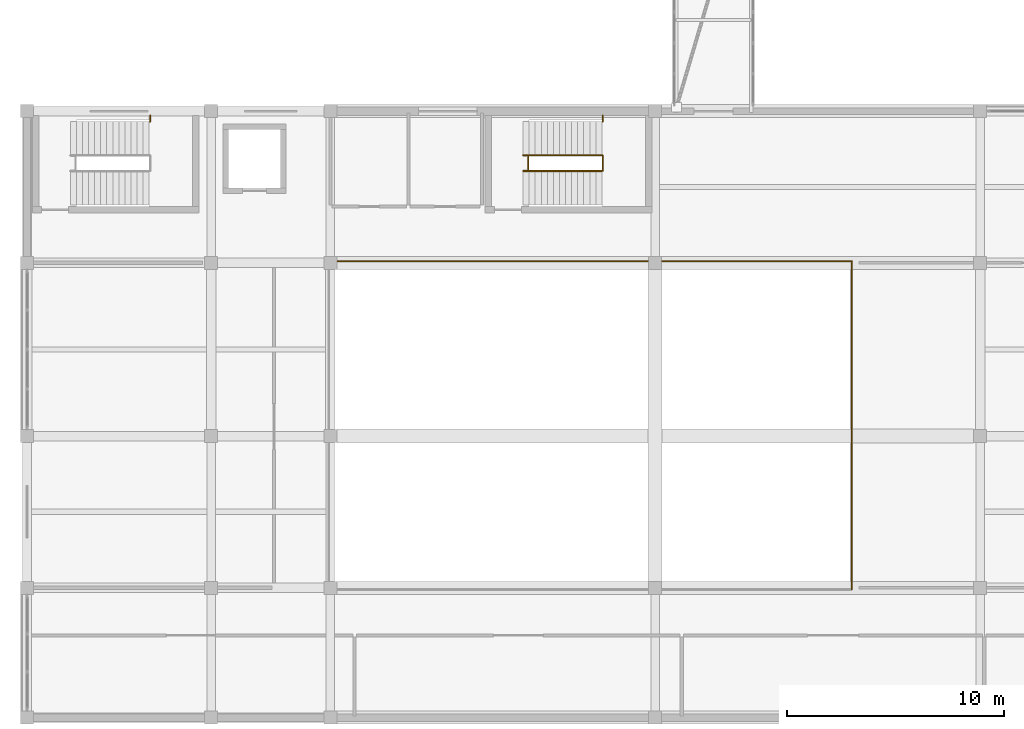
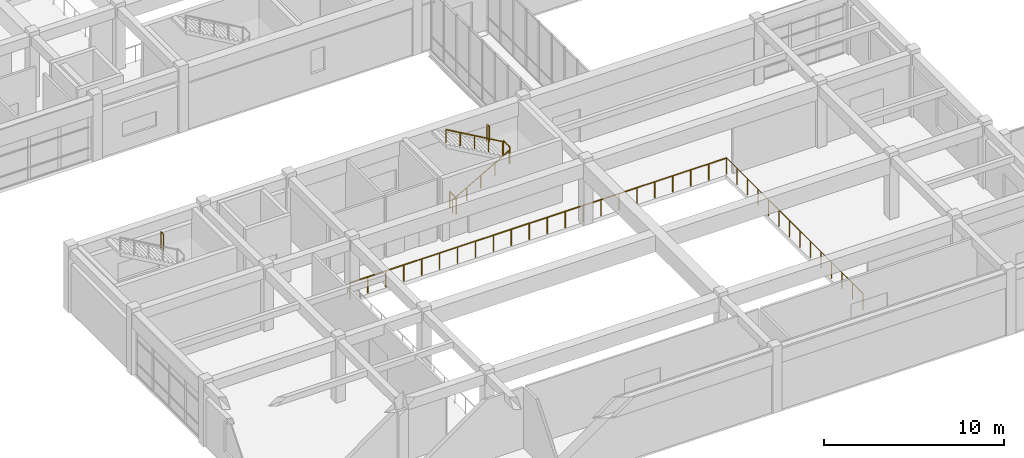
# One storey, part 61 of 72: 8 railings.
"""IFC4 building model written with IfcOpenShell, lengths in metres."""

from ifc_helpers import new_model, si_unit, direction, frame, origin, origin_2d, place, context, subcontext, project, spatial, circle, extrude, material, type_object, element, save


model = new_model("IFC4")

# Units and contexts
model_context = context("Model", 3, precision=1e-05, world=origin(), true_north=direction((0.0, 1.0)))
body_context = subcontext(model_context, "Body", "Model", "MODEL_VIEW")
ifc_project = project(units=[si_unit("LENGTHUNIT", "METRE"), si_unit("AREAUNIT", "SQUARE_METRE"), si_unit("VOLUMEUNIT", "CUBIC_METRE"), si_unit("PLANEANGLEUNIT", "RADIAN"), si_unit("MASSUNIT", "GRAM", prefix="KILO")], contexts=[model_context])

# Site, building, storey
site_placement = place(None, origin())
site = spatial("IfcSite", under=ifc_project, at=site_placement, CompositionType="ELEMENT")
building_placement = place(site_placement, origin())
building = spatial("IfcBuilding", under=site, at=building_placement, Name="Naurynzar Civic Courthouse", CompositionType="ELEMENT")
storey_placement = place(building_placement, frame((0.0, 0.0, 9.89990234375)))
storey = spatial("IfcBuildingStorey", under=building, at=storey_placement, Name="L03", CompositionType="ELEMENT", Elevation=9.89990234375)

# Railings
ifc_material_1 = material(Name="Brushed Stainless Steel 304", Category="steel")
railing_type_1 = type_object("IfcRailingType", Name="RAIL-BAL-1100", PredefinedType="BALUSTRADE", material=ifc_material_1)
railing_1_placement = place(storey_placement, frame((44.080078125, 9.919921875, 0.0)))
element("IfcRailing", 1, at=railing_1_placement, inside=storey, type_object=railing_type_1, Name="Atrium gallery balustrade guard GR-VOID-V4-L03.2", PredefinedType="BALUSTRADE", context=body_context, shape_type="SweptSolid", body=[
    extrude(circle(Radius=0.02392578125, at=origin_2d()), frame((0.0, 0.0, 1.09619140625), z_axis=(0.0, 1.0, 0.0), x_axis=(-1.0, 0.0, 0.0)), (0.0, 0.0, 1.0), 15.16015625),
    extrude(circle(Radius=0.02099609375, at=origin_2d()), origin(), (0.0, 0.0, 1.0), 1.072021484375),
    extrude(circle(Radius=0.02099609375, at=origin_2d()), frame((0.0, 1.166259765625, 0.0)), (0.0, 0.0, 1.0), 1.072021484375),
    extrude(circle(Radius=0.02099609375, at=origin_2d()), frame((0.0, 2.332275390625, 0.0)), (0.0, 0.0, 1.0), 1.072021484375),
    extrude(circle(Radius=0.02099609375, at=origin_2d()), frame((0.0, 3.49853515625, 0.0)), (0.0, 0.0, 1.0), 1.072021484375),
    extrude(circle(Radius=0.02099609375, at=origin_2d()), frame((0.0, 4.66455078125, 0.0)), (0.0, 0.0, 1.0), 1.072021484375),
    extrude(circle(Radius=0.02099609375, at=origin_2d()), frame((0.0, 5.830810546875, 0.0)), (0.0, 0.0, 1.0), 1.072021484375),
    extrude(circle(Radius=0.02099609375, at=origin_2d()), frame((0.0, 6.9970703125, 0.0)), (0.0, 0.0, 1.0), 1.072021484375),
    extrude(circle(Radius=0.02099609375, at=origin_2d()), frame((0.0, 8.1630859375, 0.0)), (0.0, 0.0, 1.0), 1.072021484375),
    extrude(circle(Radius=0.02099609375, at=origin_2d()), frame((0.0, 9.329345703125, 0.0)), (0.0, 0.0, 1.0), 1.072021484375),
    extrude(circle(Radius=0.02099609375, at=origin_2d()), frame((0.0, 10.49560546875, 0.0)), (0.0, 0.0, 1.0), 1.072021484375),
    extrude(circle(Radius=0.02099609375, at=origin_2d()), frame((0.0, 11.66162109375, 0.0)), (0.0, 0.0, 1.0), 1.072021484375),
    extrude(circle(Radius=0.02099609375, at=origin_2d()), frame((0.0, 12.827880859375, 0.0)), (0.0, 0.0, 1.0), 1.072021484375),
    extrude(circle(Radius=0.02099609375, at=origin_2d()), frame((0.0, 13.993896484375, 0.0)), (0.0, 0.0, 1.0), 1.072021484375),
    extrude(circle(Radius=0.02099609375, at=origin_2d()), frame((0.0, 15.16015625, 0.0)), (0.0, 0.0, 1.0), 1.072021484375),
])
railing_2_placement = place(storey_placement, frame((44.080078125, 25.080078125, 0.0)))
element("IfcRailing", 2, at=railing_2_placement, inside=storey, type_object=railing_type_1, Name="Atrium gallery balustrade guard GR-VOID-V4-L03.3", PredefinedType="BALUSTRADE", context=body_context, shape_type="SweptSolid", body=[
    extrude(circle(Radius=0.02392578125, at=origin_2d()), frame((0.0, 0.0, 1.09619140625), z_axis=(-1.0, 0.0, 0.0), x_axis=(0.0, -1.0, 0.0)), (0.0, 0.0, 1.0), 24.16015625),
    extrude(circle(Radius=0.02099609375, at=origin_2d()), origin(), (0.0, 0.0, 1.0), 1.072021484375),
    extrude(circle(Radius=0.02099609375, at=origin_2d()), frame((-1.150390625, 0.0, 0.0)), (0.0, 0.0, 1.0), 1.072021484375),
    extrude(circle(Radius=0.02099609375, at=origin_2d()), frame((-2.301025390625, 0.0, 0.0)), (0.0, 0.0, 1.0), 1.072021484375),
    extrude(circle(Radius=0.02099609375, at=origin_2d()), frame((-3.451416015625, 0.0, 0.0)), (0.0, 0.0, 1.0), 1.072021484375),
    extrude(circle(Radius=0.02099609375, at=origin_2d()), frame((-4.60205078125, 0.0, 0.0)), (0.0, 0.0, 1.0), 1.072021484375),
    extrude(circle(Radius=0.02099609375, at=origin_2d()), frame((-5.75244140625, 0.0, 0.0)), (0.0, 0.0, 1.0), 1.072021484375),
    extrude(circle(Radius=0.02099609375, at=origin_2d()), frame((-6.90283203125, 0.0, 0.0)), (0.0, 0.0, 1.0), 1.072021484375),
    extrude(circle(Radius=0.02099609375, at=origin_2d()), frame((-8.053466796875, 0.0, 0.0)), (0.0, 0.0, 1.0), 1.072021484375),
    extrude(circle(Radius=0.02099609375, at=origin_2d()), frame((-9.203857421875, 0.0, 0.0)), (0.0, 0.0, 1.0), 1.072021484375),
    extrude(circle(Radius=0.02099609375, at=origin_2d()), frame((-10.354248046875, 0.0, 0.0)), (0.0, 0.0, 1.0), 1.072021484375),
    extrude(circle(Radius=0.02099609375, at=origin_2d()), frame((-11.5048828125, 0.0, 0.0)), (0.0, 0.0, 1.0), 1.072021484375),
    extrude(circle(Radius=0.02099609375, at=origin_2d()), frame((-12.6552734375, 0.0, 0.0)), (0.0, 0.0, 1.0), 1.072021484375),
    extrude(circle(Radius=0.02099609375, at=origin_2d()), frame((-13.805908203125, 0.0, 0.0)), (0.0, 0.0, 1.0), 1.072021484375),
    extrude(circle(Radius=0.02099609375, at=origin_2d()), frame((-14.956298828125, 0.0, 0.0)), (0.0, 0.0, 1.0), 1.072021484375),
    extrude(circle(Radius=0.02099609375, at=origin_2d()), frame((-16.106689453125, 0.0, 0.0)), (0.0, 0.0, 1.0), 1.072021484375),
    extrude(circle(Radius=0.02099609375, at=origin_2d()), frame((-17.25732421875, 0.0, 0.0)), (0.0, 0.0, 1.0), 1.072021484375),
    extrude(circle(Radius=0.02099609375, at=origin_2d()), frame((-18.40771484375, 0.0, 0.0)), (0.0, 0.0, 1.0), 1.072021484375),
    extrude(circle(Radius=0.02099609375, at=origin_2d()), frame((-19.55810546875, 0.0, 0.0)), (0.0, 0.0, 1.0), 1.072021484375),
    extrude(circle(Radius=0.02099609375, at=origin_2d()), frame((-20.708740234375, 0.0, 0.0)), (0.0, 0.0, 1.0), 1.072021484375),
    extrude(circle(Radius=0.02099609375, at=origin_2d()), frame((-21.859130859375, 0.0, 0.0)), (0.0, 0.0, 1.0), 1.072021484375),
    extrude(circle(Radius=0.02099609375, at=origin_2d()), frame((-23.009765625, 0.0, 0.0)), (0.0, 0.0, 1.0), 1.072021484375),
    extrude(circle(Radius=0.02099609375, at=origin_2d()), frame((-24.16015625, 0.0, 0.0)), (0.0, 0.0, 1.0), 1.072021484375),
])
railing_3_placement = place(storey_placement, frame((11.679931640625, 31.52001953125, 2.25)))
element("IfcRailing", 3, at=railing_3_placement, inside=storey, type_object=railing_type_1, Name="Stair ST-V4A-L03 half-landing north slot guard", PredefinedType="BALUSTRADE", context=body_context, shape_type="SweptSolid", body=[
    extrude(circle(Radius=0.02392578125, at=origin_2d()), frame((0.0, 0.0, 1.09619140625), z_axis=(0.0, 1.0, 0.0), x_axis=(-1.0, 0.0, 0.0)), (0.0, 0.0, 1.0), 0.284912109375),
    extrude(circle(Radius=0.02099609375, at=origin_2d()), origin(), (0.0, 0.0, 1.0), 1.072021484375),
    extrude(circle(Radius=0.02099609375, at=origin_2d()), frame((0.0, 0.284912109375, 0.0)), (0.0, 0.0, 1.0), 1.072021484375),
])
for number, where, name in (
    (4, (29.139892578125, 29.239990234375, 0.0), "Stair ST-V4B floor well slot guard L03"),
    (5, (32.580078125, 29.239990234375, 2.25), "Stair ST-V4B-L03 half-landing well guard"),
):
    element("IfcRailing", number, at=place(storey_placement, frame(where)), inside=storey, type_object=railing_type_1, Name=name, PredefinedType="BALUSTRADE", context=body_context, shape_type="SweptSolid", body=[
        extrude(circle(Radius=0.02392578125, at=origin_2d()), frame((0.0, 0.0, 1.09619140625), z_axis=(0.0, 1.0, 0.0), x_axis=(-1.0, 0.0, 0.0)), (0.0, 0.0, 1.0), 0.719970703125),
        extrude(circle(Radius=0.02099609375, at=origin_2d()), origin(), (0.0, 0.0, 1.0), 1.072021484375),
        extrude(circle(Radius=0.02099609375, at=origin_2d()), frame((0.0, 0.719970703125, 0.0)), (0.0, 0.0, 1.0), 1.072021484375),
    ])
railing_4_placement = place(storey_placement, frame((32.580078125, 31.52001953125, 2.25)))
element("IfcRailing", 6, at=railing_4_placement, inside=storey, type_object=railing_type_1, Name="Stair ST-V4B-L03 half-landing north slot guard", PredefinedType="BALUSTRADE", context=body_context, shape_type="SweptSolid", body=[
    extrude(circle(Radius=0.02392578125, at=origin_2d()), frame((0.0, 0.0, 1.09619140625), z_axis=(0.0, 1.0, 0.0), x_axis=(-1.0, 0.0, 0.0)), (0.0, 0.0, 1.0), 0.284912109375),
    extrude(circle(Radius=0.02099609375, at=origin_2d()), origin(), (0.0, 0.0, 1.0), 1.072021484375),
    extrude(circle(Radius=0.02099609375, at=origin_2d()), frame((0.0, 0.284912109375, 0.0)), (0.0, 0.0, 1.0), 1.072021484375),
])
ifc_material_2 = material(Name="Brushed Stainless Steel 304", Category="steel")
railing_type_2 = type_object("IfcRailingType", Name="RAIL-HR-900", PredefinedType="HANDRAIL", material=ifc_material_2)
railing_5_placement = place(storey_placement, frame((28.89990234375, 29.239990234375, 0.160888671875)))
element("IfcRailing", 7, at=railing_5_placement, inside=storey, type_object=railing_type_2, Name="Stair ST-V4B-L03 flight 1 handrail", PredefinedType="HANDRAIL", context=body_context, shape_type="SweptSolid", body=[
    extrude(circle(Radius=0.02392578125, at=origin_2d()), frame((0.0, 0.0, 0.8759765625), z_axis=(0.867314486057, 0.0, 0.497760567216), x_axis=(0.0, 1.0, 0.0)), (0.0, 0.0, 1.0), 4.197021484375),
    extrude(circle(Radius=0.02099609375, at=origin_2d()), origin(), (0.0, 0.0, 1.0), 0.851806640625),
    extrude(circle(Radius=0.02099609375, at=origin_2d()), frame((0.91015625, 0.0, 0.522216796875)), (0.0, 0.0, 1.0), 0.851806640625),
    extrude(circle(Radius=0.02099609375, at=origin_2d()), frame((1.820068359375, 0.0, 1.04443359375)), (0.0, 0.0, 1.0), 0.851806640625),
    extrude(circle(Radius=0.02099609375, at=origin_2d()), frame((2.72998046875, 0.0, 1.56689453125)), (0.0, 0.0, 1.0), 0.851806640625),
    extrude(circle(Radius=0.02099609375, at=origin_2d()), frame((3.64013671875, 0.0, 2.089111328125)), (0.0, 0.0, 1.0), 0.851806640625),
])
railing_6_placement = place(storey_placement, frame((32.5400390625, 29.9599609375, 2.410888671875)))
element("IfcRailing", 8, at=railing_6_placement, inside=storey, type_object=railing_type_2, Name="Stair ST-V4B-L03 flight 2 handrail", PredefinedType="HANDRAIL", context=body_context, shape_type="SweptSolid", body=[
    extrude(circle(Radius=0.02392578125, at=origin_2d()), frame((0.0, 0.0, 0.8759765625), z_axis=(-0.867314486057, 0.0, 0.497760567216), x_axis=(0.0, -1.0, 0.0)), (0.0, 0.0, 1.0), 4.197021484375),
    extrude(circle(Radius=0.02099609375, at=origin_2d()), origin(), (0.0, 0.0, 1.0), 0.851806640625),
    extrude(circle(Radius=0.02099609375, at=origin_2d()), frame((-0.91015625, 0.0, 0.522216796875)), (0.0, 0.0, 1.0), 0.851806640625),
    extrude(circle(Radius=0.02099609375, at=origin_2d()), frame((-1.820068359375, 0.0, 1.04443359375)), (0.0, 0.0, 1.0), 0.851806640625),
    extrude(circle(Radius=0.02099609375, at=origin_2d()), frame((-2.72998046875, 0.0, 1.56689453125)), (0.0, 0.0, 1.0), 0.851806640625),
    extrude(circle(Radius=0.02099609375, at=origin_2d()), frame((-3.64013671875, 0.0, 2.089111328125)), (0.0, 0.0, 1.0), 0.851806640625),
])

save(model, "model.ifc")
